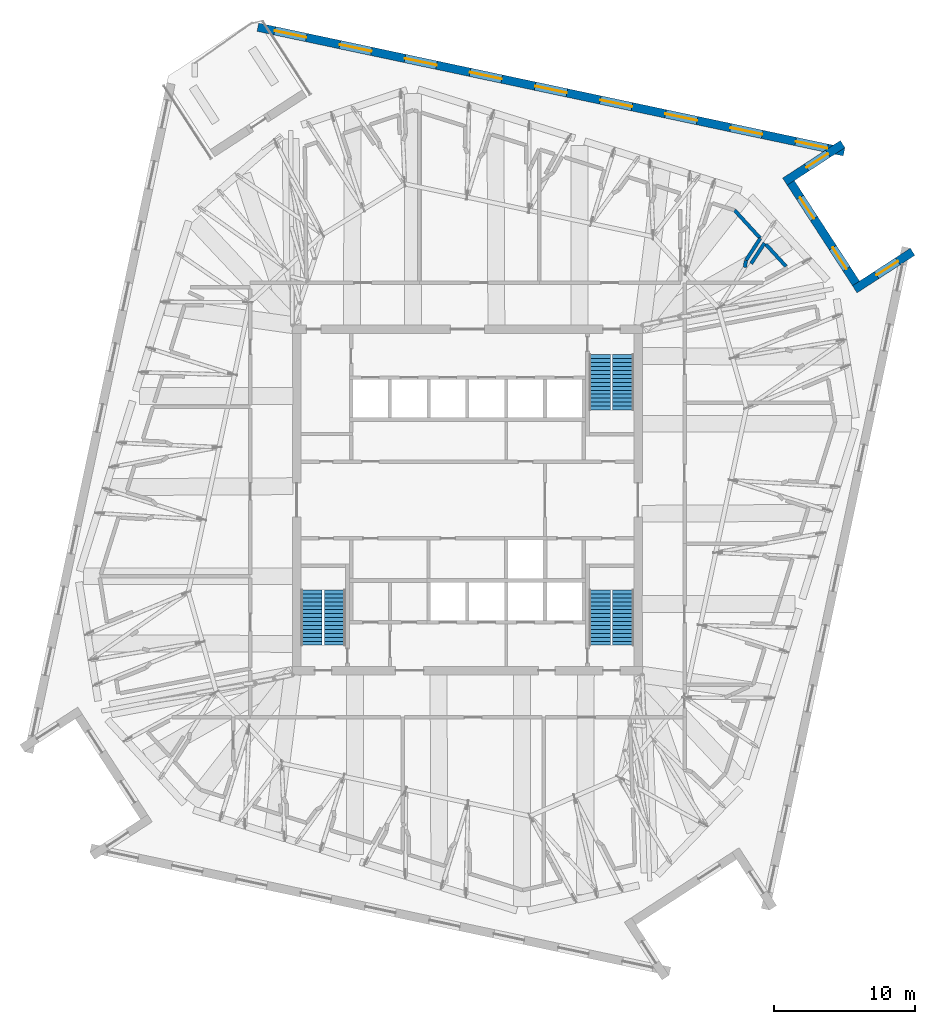
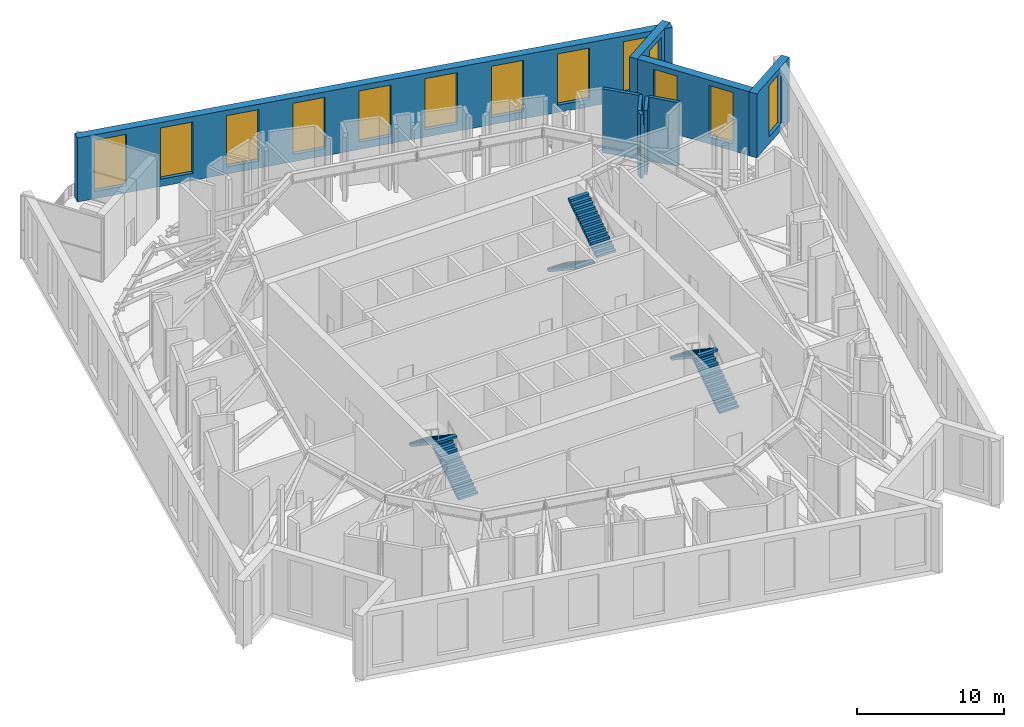
# One storey, part 13 of 19: 13 windows, 9 walls, 6 stair flights, 13 openings, 3 elements without a shape of their own.
"""IFC4 building model written with IfcOpenShell, lengths in metres."""

import ifcopenshell
import ifcopenshell.guid

model = None  # the IFC model being written
_history = None  # IfcOwnerHistory: only IFC2X3 demands one
_inside = {}  # id of a spatial element -> (the spatial element, [elements in it])
_under = {}  # id of a project, library or spatial element -> (it, [spatial elements below it])
_declared = {}  # id of a project -> (the project, [libraries it declares])
_typed = {}  # id of a type object -> (the type object, [elements of that type])
_made_of = {}  # id of a material, layer set ... -> (it, [elements and type objects made of it])


def new_model(schema):
    """Start an empty IFC model of exactly this schema.

    Asked for "IFC4X3", IfcOpenShell would pick the latest addendum, in which some entities
    have other attributes; the version numbers below select the first issue.
    IFC2X3 requires an IfcOwnerHistory on every rooted entity: one is made here for all.
    """
    global model, _history
    if schema == "IFC4X3":
        model = ifcopenshell.file(schema_version=(4, 3, 0, 0))
    else:
        model = ifcopenshell.file(schema=schema)
    _inside.clear()
    _under.clear()
    _declared.clear()
    _typed.clear()
    _made_of.clear()
    _history = None
    if model.schema == "IFC2X3":
        org = make("IfcOrganization", Name="unknown")
        user = make(
            "IfcPersonAndOrganization",
            ThePerson=make("IfcPerson", FamilyName="unknown"),
            TheOrganization=org,
        )
        app = make(
            "IfcApplication",
            ApplicationDeveloper=org,
            Version="unknown",
            ApplicationFullName="unknown",
            ApplicationIdentifier="unknown",
        )
        _history = make(
            "IfcOwnerHistory",
            OwningUser=user,
            OwningApplication=app,
            ChangeAction="ADDED",
            CreationDate=0,
        )
    return model


def make(cls, **values):
    """One entity of the class cls with the attributes given. An attribute that is None is left unset."""
    return model.create_entity(
        cls, **{name: value for name, value in values.items() if value is not None}
    )


def rooted(cls, **values):
    """An entity with a GlobalId (a new one), such as an element, a storey or a relation."""
    return make(cls, GlobalId=ifcopenshell.guid.new(), OwnerHistory=_history, **values)


def si_unit(unit_type, name, prefix=None):
    """IfcSIUnit, for example si_unit("LENGTHUNIT", "METRE", prefix="MILLI")."""
    return make("IfcSIUnit", UnitType=unit_type, Prefix=prefix, Name=name)


def assignment(units):
    """IfcUnitAssignment: the units of a project."""
    return None if units is None else make("IfcUnitAssignment", Units=units)


def point(xyz):
    """IfcCartesianPoint."""
    return None if xyz is None else make("IfcCartesianPoint", Coordinates=xyz)


def direction(xyz):
    """IfcDirection."""
    return None if xyz is None else make("IfcDirection", DirectionRatios=xyz)


def frame(location, z_axis=None, x_axis=None):
    """IfcAxis2Placement3D, a coordinate frame: its origin and axes. An axis left out is left unset."""
    return make(
        "IfcAxis2Placement3D",
        Location=point(location),
        Axis=direction(z_axis),
        RefDirection=direction(x_axis),
    )


def frame_2d(location, x_axis=None):
    """IfcAxis2Placement2D, a coordinate frame in the plane: its origin and x axis."""
    return make(
        "IfcAxis2Placement2D", Location=point(location), RefDirection=direction(x_axis)
    )


def origin():
    """The frame at (0, 0, 0) with its axes left unset."""
    return frame((0.0, 0.0, 0.0))


def place(relative_to, where):
    """IfcLocalPlacement: puts the frame where relative to a parent placement (None: the world)."""
    return make(
        "IfcLocalPlacement", PlacementRelTo=relative_to, RelativePlacement=where
    )


def context(
    kind, dimensions, precision=None, world=None, true_north=None, identifier=None
):
    """IfcGeometricRepresentationContext, for example the 3D "Model" context."""
    return make(
        "IfcGeometricRepresentationContext",
        ContextIdentifier=identifier,
        ContextType=kind,
        CoordinateSpaceDimension=dimensions,
        Precision=precision,
        WorldCoordinateSystem=world,
        TrueNorth=true_north,
    )


def subcontext(parent, identifier, kind, view, scale=None):
    """IfcGeometricRepresentationSubContext, for example "Body" below "Model"."""
    return make(
        "IfcGeometricRepresentationSubContext",
        ContextIdentifier=identifier,
        ContextType=kind,
        ParentContext=parent,
        TargetScale=scale,
        TargetView=view,
    )


def project(units=None, contexts=None):
    """IfcProject with its units and contexts."""
    return rooted(
        "IfcProject",
        Name="project",
        RepresentationContexts=contexts,
        UnitsInContext=assignment(units),
    )


def spatial(cls, under=None, at=None, **own):
    """A site, building, storey or space (cls), placed at a placement, below another one or the project."""
    s = rooted(cls, ObjectPlacement=at, **own)
    if under is not None:
        _under.setdefault(under.id(), (under, []))[1].append(s)
    return s


def polyline(points):
    """IfcPolyline through the points."""
    return make("IfcPolyline", Points=[point(p) for p in points])


def profile(cls, at=None, kind="AREA", **sizes):
    """A parametric profile (cls). Its sizes go by their IFC names, for example OverallWidth=200.0."""
    return make(cls, ProfileType=kind, Position=at, **sizes)


def rectangle(**sizes):
    """IfcRectangleProfileDef."""
    return profile("IfcRectangleProfileDef", **sizes)


def outline(outer, holes=None, kind="AREA"):
    """IfcArbitraryClosedProfileDef: a profile drawn as a closed curve; with holes, ...WithVoids."""
    if holes is None:
        return make("IfcArbitraryClosedProfileDef", ProfileType=kind, OuterCurve=outer)
    return make(
        "IfcArbitraryProfileDefWithVoids",
        ProfileType=kind,
        OuterCurve=outer,
        InnerCurves=holes,
    )


def extrude(swept, where, along, depth):
    """IfcExtrudedAreaSolid: the profile swept, set in the frame where, extruded along a direction by depth."""
    return make(
        "IfcExtrudedAreaSolid",
        SweptArea=swept,
        Position=where,
        ExtrudedDirection=direction(along),
        Depth=depth,
    )


def shape(context_of_items, identifier, shape_type, items):
    """IfcShapeRepresentation: the items that make up one representation, for example the "Body"."""
    return make(
        "IfcShapeRepresentation",
        ContextOfItems=context_of_items,
        RepresentationIdentifier=identifier,
        RepresentationType=shape_type,
        Items=items,
    )


def material(Name=None, Category=None):
    """IfcMaterial."""
    return make("IfcMaterial", Name=Name, Category=Category)


def layer(
    of_material, thickness, ventilated=None, Name=None, Category=None, Priority=None
):
    """IfcMaterialLayer: one layer of a wall or slab, of a material (None: an air gap)."""
    return make(
        "IfcMaterialLayer",
        Material=of_material,
        LayerThickness=thickness,
        IsVentilated=ventilated,
        Name=Name,
        Category=Category,
        Priority=Priority,
    )


def layer_set(layers, Name=None):
    """IfcMaterialLayerSet."""
    return make("IfcMaterialLayerSet", MaterialLayers=layers, LayerSetName=Name)


def made_of(thing, what):
    """Note that an element or type object is made of a material, layer set ...; save() writes the relation."""
    if what is not None:
        _made_of.setdefault(what.id(), (what, []))[1].append(thing)
    return thing


def type_object(cls, material=None, **own):
    """A type object (cls), such as IfcWallType, which elements share."""
    return made_of(rooted(cls, **own), material)


def element(
    cls,
    number,
    at=None,
    inside=None,
    cuts=None,
    type_object=None,
    material=None,
    context=None,
    identifier="Body",
    shape_type=None,
    held_by="IfcProductDefinitionShape",
    body=None,
    shapes=None,
    **own,
):
    """One element of the class cls, such as IfcWall. Its Tag is "e" and its number.

    at: its placement. inside: the storey or other place that contains it. cuts: it is an
    opening in that element (IfcRelVoidsElement). A single representation is given by context,
    identifier, shape_type and body (its items); several are given by shapes. held_by: the class
    of the entity that holds the representations. save() writes the other relations.
    """
    e = rooted(cls, Tag="e%d" % number, ObjectPlacement=at, **own)
    if body is not None:
        shapes = [shape(context, identifier, shape_type, body)]
    if shapes is not None:
        e.Representation = make(held_by, Representations=shapes)
    if inside is not None:
        _inside.setdefault(inside.id(), (inside, []))[1].append(e)
    if cuts is not None:
        rooted(
            "IfcRelVoidsElement", RelatingBuildingElement=cuts, RelatedOpeningElement=e
        )
    if type_object is not None:
        _typed.setdefault(type_object.id(), (type_object, []))[1].append(e)
    return made_of(e, material)


def fill(opening, filler):
    """IfcRelFillsElement: the door or window that sits in an opening."""
    return rooted(
        "IfcRelFillsElement",
        RelatingOpeningElement=opening,
        RelatedBuildingElement=filler,
    )


def aggregate(whole, parts):
    """IfcRelAggregates: a whole, such as a stair, and the parts it consists of."""
    return rooted("IfcRelAggregates", RelatingObject=whole, RelatedObjects=parts)


def save(model, path):
    """Write the relations noted so far, then the file.

    IfcRelAggregates (storeys below a building ...), IfcRelContainedInSpatialStructure (elements
    in a storey), IfcRelDefinesByType, IfcRelAssociatesMaterial and IfcRelDeclares: one each for
    every whole, place, type object, material and project.
    """
    for whole, parts in _under.values():
        aggregate(whole, parts)
    for where, things in _inside.values():
        rooted(
            "IfcRelContainedInSpatialStructure",
            RelatedElements=things,
            RelatingStructure=where,
        )
    for kind, things in _typed.values():
        rooted("IfcRelDefinesByType", RelatedObjects=things, RelatingType=kind)
    for what, things in _made_of.values():
        rooted("IfcRelAssociatesMaterial", RelatedObjects=things, RelatingMaterial=what)
    for by, libraries in _declared.values():
        rooted("IfcRelDeclares", RelatingContext=by, RelatedDefinitions=libraries)
    model.write(path)


model = new_model("IFC4")

# Units and contexts
model_context = context("Model", 3, precision=1e-05, world=origin(), true_north=direction((0.0, 1.0)))
body_context = subcontext(model_context, "Body", "Model", "MODEL_VIEW")
ifc_project = project(units=[si_unit("LENGTHUNIT", "METRE"), si_unit("AREAUNIT", "SQUARE_METRE"), si_unit("VOLUMEUNIT", "CUBIC_METRE"), si_unit("PLANEANGLEUNIT", "RADIAN"), si_unit("MASSUNIT", "GRAM", prefix="KILO")], contexts=[model_context])

# Site, building, storey
site_placement = place(None, origin())
site = spatial("IfcSite", under=ifc_project, at=site_placement, CompositionType="ELEMENT")
building_placement = place(site_placement, origin())
building = spatial("IfcBuilding", under=site, at=building_placement, Name="Dilmun Exchange Tower", CompositionType="ELEMENT")
storey_placement = place(building_placement, frame((0.0, 0.0, 344.5)))
storey = spatial("IfcBuildingStorey", under=building, at=storey_placement, Name="L82", CompositionType="ELEMENT", Elevation=344.5)

# Walls
ifc_material_1 = material(Name="Concrete C32/40", Category="concrete")
ifc_layer_1 = layer(ifc_material_1, 0.25)
ifc_layer_set_1 = layer_set([ifc_layer_1], Name="Concrete C32/40")
wall_type_1 = type_object("IfcWallType", Name="Plant room wall 250", PredefinedType="PARTITIONING", material=ifc_layer_set_1)
wall_1_placement = place(storey_placement, frame((20.117431640625, 16.763427734375, 0.0), z_axis=(0.0, 0.0, 1.0), x_axis=(0.546780877777, 0.837275744124, 0.0)))
element("IfcWall", 1, at=wall_1_placement, inside=storey, type_object=wall_type_1, Name="L82 plant room wall 138", PredefinedType="PARTITIONING", context=body_context, shape_type="SweptSolid", body=[
    extrude(rectangle(XDim=1.741455078125, YDim=0.25, at=frame_2d((0.87060546875, 0.0))), origin(), (0.0, 0.0, 1.0), 5.300048828125),
])
wall_2_placement = place(storey_placement, frame((19.676025390625, 16.493896484375, 0.0), z_axis=(0.0, 0.0, 1.0), x_axis=(0.141774522204, 0.989898977095, 0.0)))
element("IfcWall", 2, at=wall_2_placement, inside=storey, type_object=wall_type_1, Name="L82 plant room wall 139", PredefinedType="PARTITIONING", context=body_context, shape_type="SweptSolid", body=[
    extrude(rectangle(XDim=0.48388671875, YDim=0.25, at=frame_2d((0.241943359375, 0.0))), origin(), (0.0, 0.0, 1.0), 5.300048828125),
])
wall_3_placement = place(storey_placement, frame((21.16015625, 18.12255859375, 0.0), z_axis=(0.0, 0.0, 1.0), x_axis=(0.675515657464, -0.737345642505, 0.0)))
element("IfcWall", 3, at=wall_3_placement, inside=storey, type_object=wall_type_1, Name="L82 plant room wall 140", PredefinedType="PARTITIONING", context=body_context, shape_type="SweptSolid", body=[
    extrude(rectangle(XDim=2.116455078125, YDim=0.25, at=frame_2d((1.05810546875, 0.0))), origin(), (0.0, 0.0, 1.0), 5.300048828125),
])
wall_4_placement = place(storey_placement, frame((19.7548828125, 17.000244140625, 0.0), z_axis=(0.0, 0.0, 1.0), x_axis=(0.546766270991, 0.837285282868, 0.0)))
element("IfcWall", 4, at=wall_4_placement, inside=storey, type_object=wall_type_1, Name="L82 plant room wall 141", PredefinedType="PARTITIONING", context=body_context, shape_type="SweptSolid", body=[
    extrude(rectangle(XDim=1.85205078125, YDim=0.25, at=frame_2d((0.926025390625, 0.0))), origin(), (0.0, 0.0, 1.0), 5.300048828125),
])
wall_5_placement = place(storey_placement, frame((18.9404296875, 20.54541015625, 0.0), z_axis=(0.0, 0.0, 1.0), x_axis=(0.675510459463, -0.737350404595, 0.0)))
element("IfcWall", 5, at=wall_5_placement, inside=storey, type_object=wall_type_1, Name="L82 plant room wall 145", PredefinedType="PARTITIONING", context=body_context, shape_type="SweptSolid", body=[
    extrude(rectangle(XDim=2.6845703125, YDim=0.25, at=frame_2d((1.34228515625, 0.0))), origin(), (0.0, 0.0, 1.0), 5.300048828125),
])

# Wall, opening, window
ifc_material_2 = material(Name="Precast concrete C50/60", Category="concrete")
ifc_layer_2 = layer(ifc_material_2, 0.60009765625)
ifc_layer_set_2 = layer_set([ifc_layer_2], Name="Precast concrete C50/60")
wall_type_2 = type_object("IfcWallType", Name="Precast stone-clad wall 600", PredefinedType="STANDARD", material=ifc_layer_set_2)
wall_6_placement = place(storey_placement, frame((31.56103515625, 17.60009765625, 0.0), z_axis=(0.0, 0.0, 1.0), x_axis=(-0.838670742256, -0.5446387666, 0.0)))
wall_6 = element("IfcWall", 6, at=wall_6_placement, inside=storey, type_object=wall_type_2, Name="Facade wall L82-12", PredefinedType="STANDARD", context=body_context, shape_type="SweptSolid", body=[
    extrude(rectangle(XDim=4.885498046875, YDim=0.60009765625, at=frame_2d((2.44287109375, 0.0))), origin(), (0.0, 0.0, 1.0), 5.300048828125),
])
opening_1_placement = place(wall_6_placement, frame((1.242919921875, 0.0, 0.60009765625)))
opening_1 = element("IfcOpeningElement", 7, at=opening_1_placement, cuts=wall_6, Name="Opening LV180-425", PredefinedType="OPENING", context=body_context, shape_type="SweptSolid", body=[
    extrude(rectangle(XDim=1.800048828125, YDim=4.25, at=frame_2d((0.89990234375, 2.125))), frame((0.0, 0.31005859375, 0.0), z_axis=(0.0, -1.0, 0.0), x_axis=(1.0, 0.0, 0.0)), (0.0, 0.0, 1.0), 0.6201171875),
])
ifc_material_3 = material(Name="Anodised aluminium louvre blades with sand trap", Category="aluminium")
window_type_1 = type_object("IfcWindowType", Name="Plant louvre 1800 x 4250", PartitioningType="SINGLE_PANEL", PredefinedType="USERDEFINED", material=ifc_material_3)
window_1_placement = place(opening_1_placement, origin())
window_1 = element("IfcWindow", 8, at=window_1_placement, inside=storey, type_object=window_type_1, Name="Plant louvre 13.1", ObjectType="LOUVRE", OverallHeight=4.25, OverallWidth=1.800048828125, PartitioningType="SINGLE_PANEL", PredefinedType="USERDEFINED", context=body_context, shape_type="SweptSolid", body=[
    extrude(rectangle(XDim=1.800048828125, YDim=4.25, at=frame_2d((0.89990234375, 2.125))), frame((0.0, 0.030029296875, 0.0), z_axis=(0.0, -1.0, 0.0), x_axis=(1.0, 0.0, 0.0)), (0.0, 0.0, 1.0), 0.06005859375),
])
fill(opening_1, window_1)

# Wall, openings, windows
wall_7_placement = place(storey_placement, frame((27.552001953125, 15.354248046875, 0.0), z_axis=(0.0, 0.0, 1.0), x_axis=(-0.544637978142, 0.838671254286, 0.0)))
wall_7 = element("IfcWall", 9, at=wall_7_placement, inside=storey, type_object=wall_type_2, Name="Facade wall L82-13", PredefinedType="STANDARD", context=body_context, shape_type="SweptSolid", body=[
    extrude(rectangle(XDim=8.5, YDim=0.60009765625, at=frame_2d((4.25, 0.0))), origin(), (0.0, 0.0, 1.0), 5.300048828125),
])
opening_2_placement = place(wall_7_placement, frame((1.22509765625, 0.0, 0.60009765625)))
opening_2 = element("IfcOpeningElement", 10, at=opening_2_placement, cuts=wall_7, Name="Opening LV180-425", PredefinedType="OPENING", context=body_context, shape_type="SweptSolid", body=[
    extrude(rectangle(XDim=1.800048828125, YDim=4.25, at=frame_2d((0.89990234375, 2.125))), frame((0.0, 0.31005859375, 0.0), z_axis=(0.0, -1.0, 0.0), x_axis=(1.0, 0.0, 0.0)), (0.0, 0.0, 1.0), 0.6201171875),
])
opening_3_placement = place(wall_7_placement, frame((5.47509765625, 0.0, 0.60009765625)))
opening_3 = element("IfcOpeningElement", 11, at=opening_3_placement, cuts=wall_7, Name="Opening LV180-425", PredefinedType="OPENING", context=body_context, shape_type="SweptSolid", body=[
    extrude(rectangle(XDim=1.800048828125, YDim=4.25, at=frame_2d((0.89990234375, 2.125))), frame((0.0, 0.31005859375, 0.0), z_axis=(0.0, -1.0, 0.0), x_axis=(1.0, 0.0, 0.0)), (0.0, 0.0, 1.0), 0.6201171875),
])
window_2_placement = place(opening_2_placement, origin())
window_2 = element("IfcWindow", 12, at=window_2_placement, inside=storey, type_object=window_type_1, Name="Plant louvre 14.1", ObjectType="LOUVRE", OverallHeight=4.25, OverallWidth=1.800048828125, PartitioningType="SINGLE_PANEL", PredefinedType="USERDEFINED", context=body_context, shape_type="SweptSolid", body=[
    extrude(rectangle(XDim=1.800048828125, YDim=4.25, at=frame_2d((0.89990234375, 2.125))), frame((0.0, 0.030029296875, 0.0), z_axis=(0.0, -1.0, 0.0), x_axis=(1.0, 0.0, 0.0)), (0.0, 0.0, 1.0), 0.06005859375),
])
fill(opening_2, window_2)
window_3_placement = place(opening_3_placement, origin())
window_3 = element("IfcWindow", 13, at=window_3_placement, inside=storey, type_object=window_type_1, Name="Plant louvre 14.2", ObjectType="LOUVRE", OverallHeight=4.25, OverallWidth=1.800048828125, PartitioningType="SINGLE_PANEL", PredefinedType="USERDEFINED", context=body_context, shape_type="SweptSolid", body=[
    extrude(rectangle(XDim=1.800048828125, YDim=4.25, at=frame_2d((0.89990234375, 2.125))), frame((0.0, 0.030029296875, 0.0), z_axis=(0.0, -1.0, 0.0), x_axis=(1.0, 0.0, 0.0)), (0.0, 0.0, 1.0), 0.06005859375),
])
fill(opening_3, window_3)

# Wall, opening, window
wall_8_placement = place(storey_placement, frame((22.507568359375, 22.5712890625, 0.0), z_axis=(0.0, 0.0, 1.0), x_axis=(0.838693567727, 0.54460361682, 0.0)))
wall_8 = element("IfcWall", 14, at=wall_8_placement, inside=storey, type_object=wall_type_2, Name="Facade wall L82-14", PredefinedType="STANDARD", context=body_context, shape_type="SweptSolid", body=[
    extrude(rectangle(XDim=4.885498046875, YDim=0.60009765625, at=frame_2d((2.44287109375, 0.0))), origin(), (0.0, 0.0, 1.0), 5.300048828125),
])
opening_4_placement = place(wall_8_placement, frame((1.8427734375, 0.0, 0.60009765625)))
opening_4 = element("IfcOpeningElement", 15, at=opening_4_placement, cuts=wall_8, Name="Opening LV180-425", PredefinedType="OPENING", context=body_context, shape_type="SweptSolid", body=[
    extrude(rectangle(XDim=1.800048828125, YDim=4.25, at=frame_2d((0.89990234375, 2.125))), frame((0.0, 0.31005859375, 0.0), z_axis=(0.0, -1.0, 0.0), x_axis=(1.0, 0.0, 0.0)), (0.0, 0.0, 1.0), 0.6201171875),
])
window_4_placement = place(opening_4_placement, origin())
window_4 = element("IfcWindow", 16, at=window_4_placement, inside=storey, type_object=window_type_1, Name="Plant louvre 15.1", ObjectType="LOUVRE", OverallHeight=4.25, OverallWidth=1.800048828125, PartitioningType="SINGLE_PANEL", PredefinedType="USERDEFINED", context=body_context, shape_type="SweptSolid", body=[
    extrude(rectangle(XDim=1.800048828125, YDim=4.25, at=frame_2d((0.89990234375, 2.125))), frame((0.0, 0.030029296875, 0.0), z_axis=(0.0, -1.0, 0.0), x_axis=(1.0, 0.0, 0.0)), (0.0, 0.0, 1.0), 0.06005859375),
])
fill(opening_4, window_4)

# Wall, openings, windows
wall_9_placement = place(storey_placement, frame((26.705810546875, 24.68701171875, 0.0), z_axis=(0.0, 0.0, 1.0), x_axis=(-0.978148014065, 0.207909746237, 0.0)))
wall_9 = element("IfcWall", 17, at=wall_9_placement, inside=storey, type_object=wall_type_2, Name="Facade wall L82-15", PredefinedType="STANDARD", context=body_context, shape_type="SweptSolid", body=[
    extrude(rectangle(XDim=42.489501953125, YDim=0.60009765625, at=frame_2d((21.24462890625, 0.0))), origin(), (0.0, 0.0, 1.0), 5.300048828125),
])
opening_5_placement = place(wall_9_placement, frame((1.21044921875, 0.0, 0.60009765625)))
opening_5 = element("IfcOpeningElement", 18, at=opening_5_placement, cuts=wall_9, Name="Opening LV230-425", PredefinedType="OPENING", context=body_context, shape_type="SweptSolid", body=[
    extrude(rectangle(XDim=2.300048828125, YDim=4.25, at=frame_2d((1.14990234375, 2.125))), frame((0.0, 0.31005859375, 0.0), z_axis=(0.0, -1.0, 0.0), x_axis=(1.0, 0.0, 0.0)), (0.0, 0.0, 1.0), 0.6201171875),
])
opening_6_placement = place(wall_9_placement, frame((5.931640625, 0.0, 0.60009765625)))
opening_6 = element("IfcOpeningElement", 19, at=opening_6_placement, cuts=wall_9, Name="Opening LV230-425", PredefinedType="OPENING", context=body_context, shape_type="SweptSolid", body=[
    extrude(rectangle(XDim=2.300048828125, YDim=4.25, at=frame_2d((1.14990234375, 2.125))), frame((0.0, 0.31005859375, 0.0), z_axis=(0.0, -1.0, 0.0), x_axis=(1.0, 0.0, 0.0)), (0.0, 0.0, 1.0), 0.6201171875),
])
opening_7_placement = place(wall_9_placement, frame((10.652587890625, 0.0, 0.60009765625)))
opening_7 = element("IfcOpeningElement", 20, at=opening_7_placement, cuts=wall_9, Name="Opening LV230-425", PredefinedType="OPENING", context=body_context, shape_type="SweptSolid", body=[
    extrude(rectangle(XDim=2.300048828125, YDim=4.25, at=frame_2d((1.14990234375, 2.125))), frame((0.0, 0.31005859375, 0.0), z_axis=(0.0, -1.0, 0.0), x_axis=(1.0, 0.0, 0.0)), (0.0, 0.0, 1.0), 0.6201171875),
])
opening_8_placement = place(wall_9_placement, frame((15.373779296875, 0.0, 0.60009765625)))
opening_8 = element("IfcOpeningElement", 21, at=opening_8_placement, cuts=wall_9, Name="Opening LV230-425", PredefinedType="OPENING", context=body_context, shape_type="SweptSolid", body=[
    extrude(rectangle(XDim=2.300048828125, YDim=4.25, at=frame_2d((1.14990234375, 2.125))), frame((0.0, 0.31005859375, 0.0), z_axis=(0.0, -1.0, 0.0), x_axis=(1.0, 0.0, 0.0)), (0.0, 0.0, 1.0), 0.6201171875),
])
opening_9_placement = place(wall_9_placement, frame((20.0947265625, 0.0, 0.60009765625)))
opening_9 = element("IfcOpeningElement", 22, at=opening_9_placement, cuts=wall_9, Name="Opening LV230-425", PredefinedType="OPENING", context=body_context, shape_type="SweptSolid", body=[
    extrude(rectangle(XDim=2.300048828125, YDim=4.25, at=frame_2d((1.14990234375, 2.125))), frame((0.0, 0.31005859375, 0.0), z_axis=(0.0, -1.0, 0.0), x_axis=(1.0, 0.0, 0.0)), (0.0, 0.0, 1.0), 0.6201171875),
])
opening_10_placement = place(wall_9_placement, frame((24.81591796875, 0.0, 0.60009765625)))
opening_10 = element("IfcOpeningElement", 23, at=opening_10_placement, cuts=wall_9, Name="Opening LV230-425", PredefinedType="OPENING", context=body_context, shape_type="SweptSolid", body=[
    extrude(rectangle(XDim=2.300048828125, YDim=4.25, at=frame_2d((1.14990234375, 2.125))), frame((0.0, 0.31005859375, 0.0), z_axis=(0.0, -1.0, 0.0), x_axis=(1.0, 0.0, 0.0)), (0.0, 0.0, 1.0), 0.6201171875),
])
opening_11_placement = place(wall_9_placement, frame((29.536865234375, 0.0, 0.60009765625)))
opening_11 = element("IfcOpeningElement", 24, at=opening_11_placement, cuts=wall_9, Name="Opening LV230-425", PredefinedType="OPENING", context=body_context, shape_type="SweptSolid", body=[
    extrude(rectangle(XDim=2.300048828125, YDim=4.25, at=frame_2d((1.14990234375, 2.125))), frame((0.0, 0.31005859375, 0.0), z_axis=(0.0, -1.0, 0.0), x_axis=(1.0, 0.0, 0.0)), (0.0, 0.0, 1.0), 0.6201171875),
])
opening_12_placement = place(wall_9_placement, frame((34.258056640625, 0.0, 0.60009765625)))
opening_12 = element("IfcOpeningElement", 25, at=opening_12_placement, cuts=wall_9, Name="Opening LV230-425", PredefinedType="OPENING", context=body_context, shape_type="SweptSolid", body=[
    extrude(rectangle(XDim=2.300048828125, YDim=4.25, at=frame_2d((1.14990234375, 2.125))), frame((0.0, 0.31005859375, 0.0), z_axis=(0.0, -1.0, 0.0), x_axis=(1.0, 0.0, 0.0)), (0.0, 0.0, 1.0), 0.6201171875),
])
opening_13_placement = place(wall_9_placement, frame((38.97900390625, 0.0, 0.60009765625)))
opening_13 = element("IfcOpeningElement", 26, at=opening_13_placement, cuts=wall_9, Name="Opening LV230-425", PredefinedType="OPENING", context=body_context, shape_type="SweptSolid", body=[
    extrude(rectangle(XDim=2.300048828125, YDim=4.25, at=frame_2d((1.14990234375, 2.125))), frame((0.0, 0.31005859375, 0.0), z_axis=(0.0, -1.0, 0.0), x_axis=(1.0, 0.0, 0.0)), (0.0, 0.0, 1.0), 0.6201171875),
])
window_type_2 = type_object("IfcWindowType", Name="Plant louvre 2300 x 4250", PartitioningType="SINGLE_PANEL", PredefinedType="USERDEFINED", material=ifc_material_3)
window_5_placement = place(opening_5_placement, origin())
window_5 = element("IfcWindow", 27, at=window_5_placement, inside=storey, type_object=window_type_2, Name="Plant louvre 16.1", ObjectType="LOUVRE", OverallHeight=4.25, OverallWidth=2.300048828125, PartitioningType="SINGLE_PANEL", PredefinedType="USERDEFINED", context=body_context, shape_type="SweptSolid", body=[
    extrude(rectangle(XDim=2.300048828125, YDim=4.25, at=frame_2d((1.14990234375, 2.125))), frame((0.0, 0.030029296875, 0.0), z_axis=(0.0, -1.0, 0.0), x_axis=(1.0, 0.0, 0.0)), (0.0, 0.0, 1.0), 0.06005859375),
])
fill(opening_5, window_5)
window_6_placement = place(opening_6_placement, origin())
window_6 = element("IfcWindow", 28, at=window_6_placement, inside=storey, type_object=window_type_2, Name="Plant louvre 16.2", ObjectType="LOUVRE", OverallHeight=4.25, OverallWidth=2.300048828125, PartitioningType="SINGLE_PANEL", PredefinedType="USERDEFINED", context=body_context, shape_type="SweptSolid", body=[
    extrude(rectangle(XDim=2.300048828125, YDim=4.25, at=frame_2d((1.14990234375, 2.125))), frame((0.0, 0.030029296875, 0.0), z_axis=(0.0, -1.0, 0.0), x_axis=(1.0, 0.0, 0.0)), (0.0, 0.0, 1.0), 0.06005859375),
])
fill(opening_6, window_6)
window_7_placement = place(opening_7_placement, origin())
window_7 = element("IfcWindow", 29, at=window_7_placement, inside=storey, type_object=window_type_2, Name="Plant louvre 16.3", ObjectType="LOUVRE", OverallHeight=4.25, OverallWidth=2.300048828125, PartitioningType="SINGLE_PANEL", PredefinedType="USERDEFINED", context=body_context, shape_type="SweptSolid", body=[
    extrude(rectangle(XDim=2.300048828125, YDim=4.25, at=frame_2d((1.14990234375, 2.125))), frame((0.0, 0.030029296875, 0.0), z_axis=(0.0, -1.0, 0.0), x_axis=(1.0, 0.0, 0.0)), (0.0, 0.0, 1.0), 0.06005859375),
])
fill(opening_7, window_7)
window_8_placement = place(opening_8_placement, origin())
window_8 = element("IfcWindow", 30, at=window_8_placement, inside=storey, type_object=window_type_2, Name="Plant louvre 16.4", ObjectType="LOUVRE", OverallHeight=4.25, OverallWidth=2.300048828125, PartitioningType="SINGLE_PANEL", PredefinedType="USERDEFINED", context=body_context, shape_type="SweptSolid", body=[
    extrude(rectangle(XDim=2.300048828125, YDim=4.25, at=frame_2d((1.14990234375, 2.125))), frame((0.0, 0.030029296875, 0.0), z_axis=(0.0, -1.0, 0.0), x_axis=(1.0, 0.0, 0.0)), (0.0, 0.0, 1.0), 0.06005859375),
])
fill(opening_8, window_8)
window_9_placement = place(opening_9_placement, origin())
window_9 = element("IfcWindow", 31, at=window_9_placement, inside=storey, type_object=window_type_2, Name="Plant louvre 16.5", ObjectType="LOUVRE", OverallHeight=4.25, OverallWidth=2.300048828125, PartitioningType="SINGLE_PANEL", PredefinedType="USERDEFINED", context=body_context, shape_type="SweptSolid", body=[
    extrude(rectangle(XDim=2.300048828125, YDim=4.25, at=frame_2d((1.14990234375, 2.125))), frame((0.0, 0.030029296875, 0.0), z_axis=(0.0, -1.0, 0.0), x_axis=(1.0, 0.0, 0.0)), (0.0, 0.0, 1.0), 0.06005859375),
])
fill(opening_9, window_9)
window_10_placement = place(opening_10_placement, origin())
window_10 = element("IfcWindow", 32, at=window_10_placement, inside=storey, type_object=window_type_2, Name="Plant louvre 16.6", ObjectType="LOUVRE", OverallHeight=4.25, OverallWidth=2.300048828125, PartitioningType="SINGLE_PANEL", PredefinedType="USERDEFINED", context=body_context, shape_type="SweptSolid", body=[
    extrude(rectangle(XDim=2.300048828125, YDim=4.25, at=frame_2d((1.14990234375, 2.125))), frame((0.0, 0.030029296875, 0.0), z_axis=(0.0, -1.0, 0.0), x_axis=(1.0, 0.0, 0.0)), (0.0, 0.0, 1.0), 0.06005859375),
])
fill(opening_10, window_10)
window_11_placement = place(opening_11_placement, origin())
window_11 = element("IfcWindow", 33, at=window_11_placement, inside=storey, type_object=window_type_2, Name="Plant louvre 16.7", ObjectType="LOUVRE", OverallHeight=4.25, OverallWidth=2.300048828125, PartitioningType="SINGLE_PANEL", PredefinedType="USERDEFINED", context=body_context, shape_type="SweptSolid", body=[
    extrude(rectangle(XDim=2.300048828125, YDim=4.25, at=frame_2d((1.14990234375, 2.125))), frame((0.0, 0.030029296875, 0.0), z_axis=(0.0, -1.0, 0.0), x_axis=(1.0, 0.0, 0.0)), (0.0, 0.0, 1.0), 0.06005859375),
])
fill(opening_11, window_11)
window_12_placement = place(opening_12_placement, origin())
window_12 = element("IfcWindow", 34, at=window_12_placement, inside=storey, type_object=window_type_2, Name="Plant louvre 16.8", ObjectType="LOUVRE", OverallHeight=4.25, OverallWidth=2.300048828125, PartitioningType="SINGLE_PANEL", PredefinedType="USERDEFINED", context=body_context, shape_type="SweptSolid", body=[
    extrude(rectangle(XDim=2.300048828125, YDim=4.25, at=frame_2d((1.14990234375, 2.125))), frame((0.0, 0.030029296875, 0.0), z_axis=(0.0, -1.0, 0.0), x_axis=(1.0, 0.0, 0.0)), (0.0, 0.0, 1.0), 0.06005859375),
])
fill(opening_12, window_12)
window_13_placement = place(opening_13_placement, origin())
window_13 = element("IfcWindow", 35, at=window_13_placement, inside=storey, type_object=window_type_2, Name="Plant louvre 16.9", ObjectType="LOUVRE", OverallHeight=4.25, OverallWidth=2.300048828125, PartitioningType="SINGLE_PANEL", PredefinedType="USERDEFINED", context=body_context, shape_type="SweptSolid", body=[
    extrude(rectangle(XDim=2.300048828125, YDim=4.25, at=frame_2d((1.14990234375, 2.125))), frame((0.0, 0.030029296875, 0.0), z_axis=(0.0, -1.0, 0.0), x_axis=(1.0, 0.0, 0.0)), (0.0, 0.0, 1.0), 0.06005859375),
])
fill(opening_13, window_13)

# Stair, stair flights
ifc_material_4 = material(Name="Concrete C40/50", Category="concrete")
stair_type = type_object("IfcStairType", Name="Exit stair 1500 half-turn", PredefinedType="HALF_TURN_STAIR", material=ifc_material_4)
stair_1_placement = place(storey_placement, origin())
stair_1 = element("IfcStair", 36, at=stair_1_placement, inside=storey, type_object=stair_type, Name="L82 Protected exit stair ST1", PredefinedType="HALF_TURN_STAIR")
stair_flight_type = type_object("IfcStairFlightType", Name="Exit stair flight 1500", PredefinedType="STRAIGHT", material=ifc_material_4)
stair_flight_1_placement = place(storey_placement, frame((9.39990234375, 10.300048828125, 0.0), z_axis=(0.0, 0.0, 1.0), x_axis=(0.0, -1.0, 0.0)))
stair_flight_1 = element("IfcStairFlight", 37, at=stair_flight_1_placement, type_object=stair_flight_type, Name="ST1 flight 1", NumberOfRisers=15, NumberOfTreads=14, PredefinedType="STRAIGHT", RiserHeight=0.186666667, TreadLength=0.28, context=body_context, shape_type="SweptSolid", body=[
    extrude(outline(polyline([(0.0, 0.0), (0.0, 0.186767578125), (0.280029296875, 0.186767578125), (0.280029296875, 0.373291015625), (0.56005859375, 0.373291015625), (0.56005859375, 0.56005859375), (0.840087890625, 0.56005859375), (0.840087890625, 0.74658203125), (1.1201171875, 0.74658203125), (1.1201171875, 0.933349609375), (1.39990234375, 0.933349609375), (1.39990234375, 1.1201171875), (1.679931640625, 1.1201171875), (1.679931640625, 1.306640625), (1.9599609375, 1.306640625), (1.9599609375, 1.493408203125), (2.239990234375, 1.493408203125), (2.239990234375, 1.679931640625), (2.52001953125, 1.679931640625), (2.52001953125, 1.86669921875), (2.800048828125, 1.86669921875), (2.800048828125, 2.05322265625), (3.080078125, 2.05322265625), (3.080078125, 2.239990234375), (3.360107421875, 2.239990234375), (3.360107421875, 2.4267578125), (3.639892578125, 2.4267578125), (3.639892578125, 2.61328125), (3.919921875, 2.61328125), (3.919921875, 2.800048828125), (3.919921875, 2.43310546875), (0.270263671875, 0.0), (0.0, 0.0)])), frame((0.0, 0.75, 0.0), z_axis=(0.0, -1.0, 0.0), x_axis=(1.0, 0.0, 0.0)), (0.0, 0.0, 1.0), 1.5),
])
stair_flight_2_placement = place(storey_placement, frame((11.050048828125, 6.3798828125, 2.800048828125), z_axis=(0.0, 0.0, 1.0), x_axis=(0.0, 1.0, 0.0)))
stair_flight_2 = element("IfcStairFlight", 38, at=stair_flight_2_placement, type_object=stair_flight_type, Name="ST1 flight 2", NumberOfRisers=15, NumberOfTreads=14, PredefinedType="STRAIGHT", RiserHeight=0.186666667, TreadLength=0.28, context=body_context, shape_type="SweptSolid", body=[
    extrude(outline(polyline([(0.0, 0.0), (0.0, 0.186767578125), (0.280029296875, 0.186767578125), (0.280029296875, 0.373291015625), (0.56005859375, 0.373291015625), (0.56005859375, 0.56005859375), (0.840087890625, 0.56005859375), (0.840087890625, 0.74658203125), (1.1201171875, 0.74658203125), (1.1201171875, 0.933349609375), (1.39990234375, 0.933349609375), (1.39990234375, 1.1201171875), (1.679931640625, 1.1201171875), (1.679931640625, 1.306640625), (1.9599609375, 1.306640625), (1.9599609375, 1.493408203125), (2.239990234375, 1.493408203125), (2.239990234375, 1.679931640625), (2.52001953125, 1.679931640625), (2.52001953125, 1.86669921875), (2.800048828125, 1.86669921875), (2.800048828125, 2.05322265625), (3.080078125, 2.05322265625), (3.080078125, 2.239990234375), (3.360107421875, 2.239990234375), (3.360107421875, 2.4267578125), (3.639892578125, 2.4267578125), (3.639892578125, 2.61328125), (3.919921875, 2.61328125), (3.919921875, 2.800048828125), (3.919921875, 2.43310546875), (0.270263671875, 0.0), (0.0, 0.0)])), frame((0.0, 0.75, 0.0), z_axis=(0.0, -1.0, 0.0), x_axis=(1.0, 0.0, 0.0)), (0.0, 0.0, 1.0), 1.5),
])
aggregate(stair_1, [stair_flight_1, stair_flight_2])

stair_2_placement = place(storey_placement, origin())
stair_2 = element("IfcStair", 39, at=stair_2_placement, inside=storey, type_object=stair_type, Name="L82 Protected exit stair ST2", PredefinedType="HALF_TURN_STAIR")
stair_flight_3_placement = place(storey_placement, frame((-9.39990234375, -10.300048828125, 0.0), z_axis=(0.0, 0.0, 1.0), x_axis=(0.0, 1.0, 0.0)))
stair_flight_3 = element("IfcStairFlight", 40, at=stair_flight_3_placement, type_object=stair_flight_type, Name="ST2 flight 1", NumberOfRisers=15, NumberOfTreads=14, PredefinedType="STRAIGHT", RiserHeight=0.186666667, TreadLength=0.28, context=body_context, shape_type="SweptSolid", body=[
    extrude(outline(polyline([(0.0, 0.0), (0.0, 0.186767578125), (0.280029296875, 0.186767578125), (0.280029296875, 0.373291015625), (0.56005859375, 0.373291015625), (0.56005859375, 0.56005859375), (0.840087890625, 0.56005859375), (0.840087890625, 0.74658203125), (1.1201171875, 0.74658203125), (1.1201171875, 0.933349609375), (1.39990234375, 0.933349609375), (1.39990234375, 1.1201171875), (1.679931640625, 1.1201171875), (1.679931640625, 1.306640625), (1.9599609375, 1.306640625), (1.9599609375, 1.493408203125), (2.239990234375, 1.493408203125), (2.239990234375, 1.679931640625), (2.52001953125, 1.679931640625), (2.52001953125, 1.86669921875), (2.800048828125, 1.86669921875), (2.800048828125, 2.05322265625), (3.080078125, 2.05322265625), (3.080078125, 2.239990234375), (3.360107421875, 2.239990234375), (3.360107421875, 2.4267578125), (3.639892578125, 2.4267578125), (3.639892578125, 2.61328125), (3.919921875, 2.61328125), (3.919921875, 2.800048828125), (3.919921875, 2.43310546875), (0.270263671875, 0.0), (0.0, 0.0)])), frame((0.0, 0.75, 0.0), z_axis=(0.0, -1.0, 0.0), x_axis=(1.0, 0.0, 0.0)), (0.0, 0.0, 1.0), 1.5),
])
stair_flight_4_placement = place(storey_placement, frame((-11.050048828125, -6.3798828125, 2.800048828125), z_axis=(0.0, 0.0, 1.0), x_axis=(0.0, -1.0, 0.0)))
stair_flight_4 = element("IfcStairFlight", 41, at=stair_flight_4_placement, type_object=stair_flight_type, Name="ST2 flight 2", NumberOfRisers=15, NumberOfTreads=14, PredefinedType="STRAIGHT", RiserHeight=0.186666667, TreadLength=0.28, context=body_context, shape_type="SweptSolid", body=[
    extrude(outline(polyline([(0.0, 0.0), (0.0, 0.186767578125), (0.280029296875, 0.186767578125), (0.280029296875, 0.373291015625), (0.56005859375, 0.373291015625), (0.56005859375, 0.56005859375), (0.840087890625, 0.56005859375), (0.840087890625, 0.74658203125), (1.1201171875, 0.74658203125), (1.1201171875, 0.933349609375), (1.39990234375, 0.933349609375), (1.39990234375, 1.1201171875), (1.679931640625, 1.1201171875), (1.679931640625, 1.306640625), (1.9599609375, 1.306640625), (1.9599609375, 1.493408203125), (2.239990234375, 1.493408203125), (2.239990234375, 1.679931640625), (2.52001953125, 1.679931640625), (2.52001953125, 1.86669921875), (2.800048828125, 1.86669921875), (2.800048828125, 2.05322265625), (3.080078125, 2.05322265625), (3.080078125, 2.239990234375), (3.360107421875, 2.239990234375), (3.360107421875, 2.4267578125), (3.639892578125, 2.4267578125), (3.639892578125, 2.61328125), (3.919921875, 2.61328125), (3.919921875, 2.800048828125), (3.919921875, 2.43310546875), (0.270263671875, 0.0), (0.0, 0.0)])), frame((0.0, 0.75, 0.0), z_axis=(0.0, -1.0, 0.0), x_axis=(1.0, 0.0, 0.0)), (0.0, 0.0, 1.0), 1.5),
])
aggregate(stair_2, [stair_flight_3, stair_flight_4])

stair_3_placement = place(storey_placement, origin())
stair_3 = element("IfcStair", 42, at=stair_3_placement, inside=storey, type_object=stair_type, Name="L82 Protected exit stair ST3", PredefinedType="HALF_TURN_STAIR")
stair_flight_5_placement = place(storey_placement, frame((11.050048828125, -10.300048828125, 0.0), z_axis=(0.0, 0.0, 1.0), x_axis=(0.0, 1.0, 0.0)))
stair_flight_5 = element("IfcStairFlight", 43, at=stair_flight_5_placement, type_object=stair_flight_type, Name="ST3 flight 1", NumberOfRisers=15, NumberOfTreads=14, PredefinedType="STRAIGHT", RiserHeight=0.186666667, TreadLength=0.28, context=body_context, shape_type="SweptSolid", body=[
    extrude(outline(polyline([(0.0, 0.0), (0.0, 0.186767578125), (0.280029296875, 0.186767578125), (0.280029296875, 0.373291015625), (0.56005859375, 0.373291015625), (0.56005859375, 0.56005859375), (0.840087890625, 0.56005859375), (0.840087890625, 0.74658203125), (1.1201171875, 0.74658203125), (1.1201171875, 0.933349609375), (1.39990234375, 0.933349609375), (1.39990234375, 1.1201171875), (1.679931640625, 1.1201171875), (1.679931640625, 1.306640625), (1.9599609375, 1.306640625), (1.9599609375, 1.493408203125), (2.239990234375, 1.493408203125), (2.239990234375, 1.679931640625), (2.52001953125, 1.679931640625), (2.52001953125, 1.86669921875), (2.800048828125, 1.86669921875), (2.800048828125, 2.05322265625), (3.080078125, 2.05322265625), (3.080078125, 2.239990234375), (3.360107421875, 2.239990234375), (3.360107421875, 2.4267578125), (3.639892578125, 2.4267578125), (3.639892578125, 2.61328125), (3.919921875, 2.61328125), (3.919921875, 2.800048828125), (3.919921875, 2.43310546875), (0.270263671875, 0.0), (0.0, 0.0)])), frame((0.0, 0.75, 0.0), z_axis=(0.0, -1.0, 0.0), x_axis=(1.0, 0.0, 0.0)), (0.0, 0.0, 1.0), 1.5),
])
stair_flight_6_placement = place(storey_placement, frame((9.39990234375, -6.3798828125, 2.800048828125), z_axis=(0.0, 0.0, 1.0), x_axis=(0.0, -1.0, 0.0)))
stair_flight_6 = element("IfcStairFlight", 44, at=stair_flight_6_placement, type_object=stair_flight_type, Name="ST3 flight 2", NumberOfRisers=15, NumberOfTreads=14, PredefinedType="STRAIGHT", RiserHeight=0.186666667, TreadLength=0.28, context=body_context, shape_type="SweptSolid", body=[
    extrude(outline(polyline([(0.0, 0.0), (0.0, 0.186767578125), (0.280029296875, 0.186767578125), (0.280029296875, 0.373291015625), (0.56005859375, 0.373291015625), (0.56005859375, 0.56005859375), (0.840087890625, 0.56005859375), (0.840087890625, 0.74658203125), (1.1201171875, 0.74658203125), (1.1201171875, 0.933349609375), (1.39990234375, 0.933349609375), (1.39990234375, 1.1201171875), (1.679931640625, 1.1201171875), (1.679931640625, 1.306640625), (1.9599609375, 1.306640625), (1.9599609375, 1.493408203125), (2.239990234375, 1.493408203125), (2.239990234375, 1.679931640625), (2.52001953125, 1.679931640625), (2.52001953125, 1.86669921875), (2.800048828125, 1.86669921875), (2.800048828125, 2.05322265625), (3.080078125, 2.05322265625), (3.080078125, 2.239990234375), (3.360107421875, 2.239990234375), (3.360107421875, 2.4267578125), (3.639892578125, 2.4267578125), (3.639892578125, 2.61328125), (3.919921875, 2.61328125), (3.919921875, 2.800048828125), (3.919921875, 2.43310546875), (0.270263671875, 0.0), (0.0, 0.0)])), frame((0.0, 0.75, 0.0), z_axis=(0.0, -1.0, 0.0), x_axis=(1.0, 0.0, 0.0)), (0.0, 0.0, 1.0), 1.5),
])
aggregate(stair_3, [stair_flight_5, stair_flight_6])

save(model, "model.ifc")
